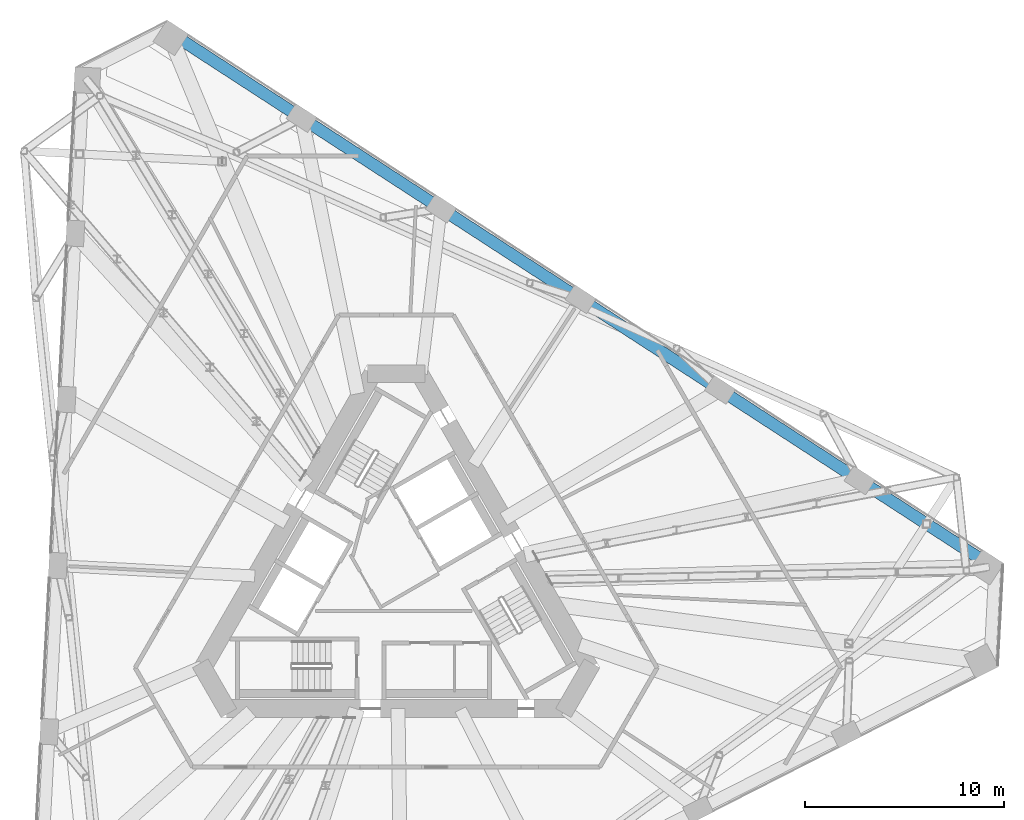
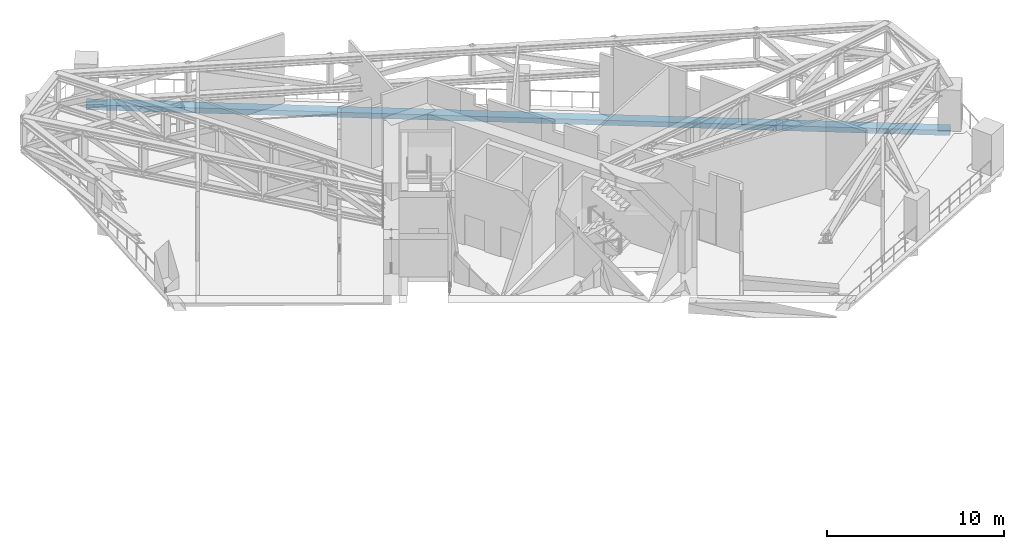
# One storey, part 13 of 26: 1 beam.
"""IFC4 building model written with IfcOpenShell, lengths in metres."""

from ifc_helpers import new_model, si_unit, direction, frame, origin, origin_2d, place, context, subcontext, project, spatial, rectangle, extrude, material, material_profile, profile_set, type_object, element, save


model = new_model("IFC4")

# Units and contexts
model_context = context("Model", 3, precision=1e-05, world=origin(), true_north=direction((0.0, 1.0)))
body_context = subcontext(model_context, "Body", "Model", "MODEL_VIEW")
ifc_project = project(units=[si_unit("LENGTHUNIT", "METRE"), si_unit("AREAUNIT", "SQUARE_METRE"), si_unit("VOLUMEUNIT", "CUBIC_METRE"), si_unit("PLANEANGLEUNIT", "RADIAN"), si_unit("MASSUNIT", "GRAM", prefix="KILO")], contexts=[model_context])

# Site, building, storey
site_placement = place(None, origin())
site = spatial("IfcSite", under=ifc_project, at=site_placement, CompositionType="ELEMENT")
building_placement = place(site_placement, origin())
building = spatial("IfcBuilding", under=site, at=building_placement, Name="Tramontana Tower", CompositionType="ELEMENT")
storey_placement = place(building_placement, frame((0.0, 0.0, 157.60009765625)))
storey = spatial("IfcBuildingStorey", under=building, at=storey_placement, Name="L36", CompositionType="ELEMENT", Elevation=157.60009765625)

# Beam
ifc_material = material(Name="Concrete 40 MPa", Category="concrete")
ifc_material_profile = material_profile(ifc_material, rectangle(XDim=0.60009765625, YDim=0.35009765625, at=origin_2d()), Name="RC EDGE BEAM 600X350 40 MPa")
ifc_profile_set = profile_set([ifc_material_profile], Name="Concrete 40 MPa")
beam_type = type_object("IfcBeamType", Name="RC EDGE BEAM 600X350 40 MPa", PredefinedType="SPANDREL", material=ifc_profile_set)
beam_placement = place(storey_placement, frame((29.803955078125, 0.974853515625, -0.525146484375), z_axis=(-0.838669945923, 0.544639992844, 0.0), x_axis=(-0.544639992844, -0.838669945923, 0.0)))
element("IfcBeam", 1, at=beam_placement, inside=storey, type_object=beam_type, Name="Spandrel beam S2 L36", PredefinedType="SPANDREL", context=body_context, shape_type="SweptSolid", body=[
    extrude(rectangle(XDim=0.60009765625, YDim=0.35009765625, at=origin_2d()), origin(), (0.0, 0.0, 1.0), 48.929443359375),
])

save(model, "model.ifc")
